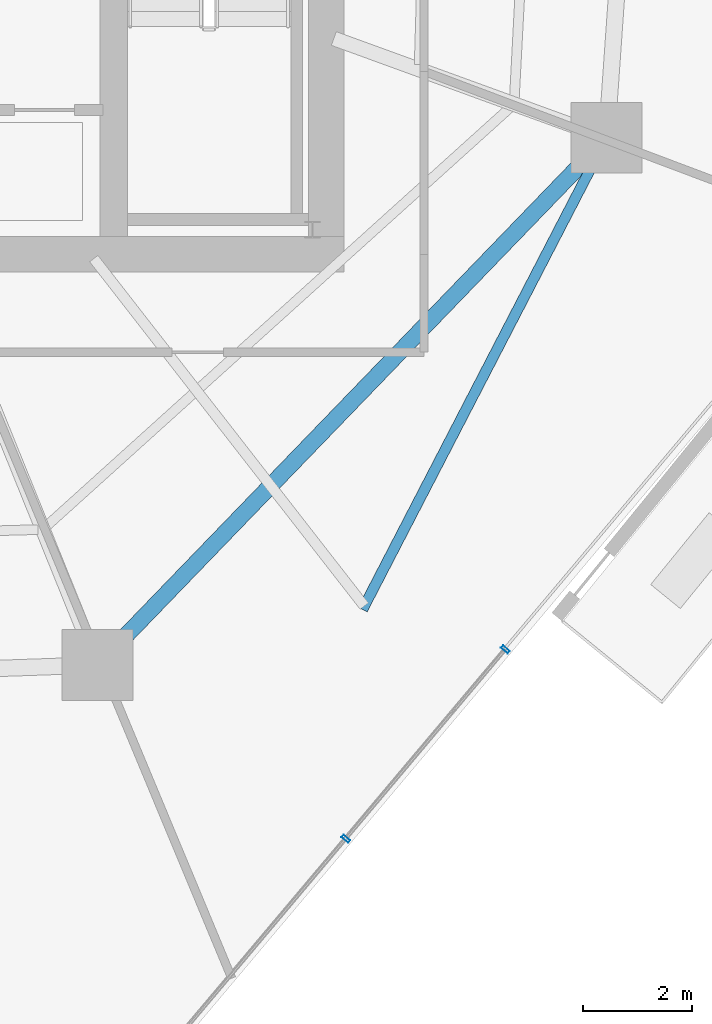
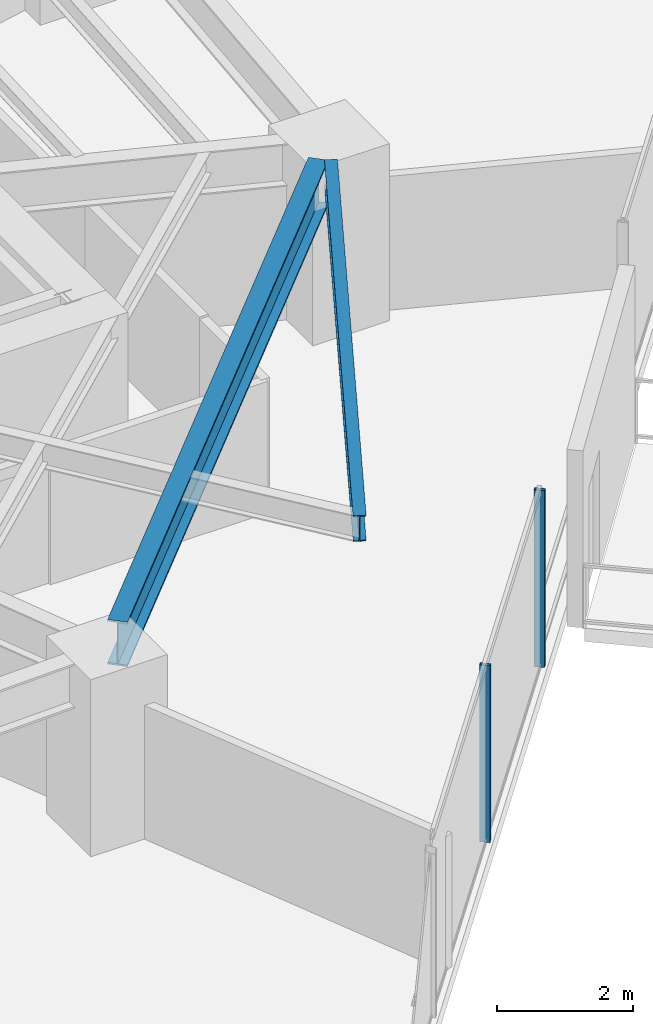
# One storey, part 9 of 31: 2 beams, 2 members, 1 element without a shape of its own.
"""IFC4 building model written with IfcOpenShell, lengths in metres."""

import ifcopenshell
import ifcopenshell.guid

model = None  # the IFC model being written
_history = None  # IfcOwnerHistory: only IFC2X3 demands one
_inside = {}  # id of a spatial element -> (the spatial element, [elements in it])
_under = {}  # id of a project, library or spatial element -> (it, [spatial elements below it])
_declared = {}  # id of a project -> (the project, [libraries it declares])
_typed = {}  # id of a type object -> (the type object, [elements of that type])
_made_of = {}  # id of a material, layer set ... -> (it, [elements and type objects made of it])


def new_model(schema):
    """Start an empty IFC model of exactly this schema.

    Asked for "IFC4X3", IfcOpenShell would pick the latest addendum, in which some entities
    have other attributes; the version numbers below select the first issue.
    IFC2X3 requires an IfcOwnerHistory on every rooted entity: one is made here for all.
    """
    global model, _history
    if schema == "IFC4X3":
        model = ifcopenshell.file(schema_version=(4, 3, 0, 0))
    else:
        model = ifcopenshell.file(schema=schema)
    _inside.clear()
    _under.clear()
    _declared.clear()
    _typed.clear()
    _made_of.clear()
    _history = None
    if model.schema == "IFC2X3":
        org = make("IfcOrganization", Name="unknown")
        user = make(
            "IfcPersonAndOrganization",
            ThePerson=make("IfcPerson", FamilyName="unknown"),
            TheOrganization=org,
        )
        app = make(
            "IfcApplication",
            ApplicationDeveloper=org,
            Version="unknown",
            ApplicationFullName="unknown",
            ApplicationIdentifier="unknown",
        )
        _history = make(
            "IfcOwnerHistory",
            OwningUser=user,
            OwningApplication=app,
            ChangeAction="ADDED",
            CreationDate=0,
        )
    return model


def make(cls, **values):
    """One entity of the class cls with the attributes given. An attribute that is None is left unset."""
    return model.create_entity(
        cls, **{name: value for name, value in values.items() if value is not None}
    )


def rooted(cls, **values):
    """An entity with a GlobalId (a new one), such as an element, a storey or a relation."""
    return make(cls, GlobalId=ifcopenshell.guid.new(), OwnerHistory=_history, **values)


def si_unit(unit_type, name, prefix=None):
    """IfcSIUnit, for example si_unit("LENGTHUNIT", "METRE", prefix="MILLI")."""
    return make("IfcSIUnit", UnitType=unit_type, Prefix=prefix, Name=name)


def assignment(units):
    """IfcUnitAssignment: the units of a project."""
    return None if units is None else make("IfcUnitAssignment", Units=units)


def point(xyz):
    """IfcCartesianPoint."""
    return None if xyz is None else make("IfcCartesianPoint", Coordinates=xyz)


def direction(xyz):
    """IfcDirection."""
    return None if xyz is None else make("IfcDirection", DirectionRatios=xyz)


def frame(location, z_axis=None, x_axis=None):
    """IfcAxis2Placement3D, a coordinate frame: its origin and axes. An axis left out is left unset."""
    return make(
        "IfcAxis2Placement3D",
        Location=point(location),
        Axis=direction(z_axis),
        RefDirection=direction(x_axis),
    )


def frame_2d(location, x_axis=None):
    """IfcAxis2Placement2D, a coordinate frame in the plane: its origin and x axis."""
    return make(
        "IfcAxis2Placement2D", Location=point(location), RefDirection=direction(x_axis)
    )


def origin():
    """The frame at (0, 0, 0) with its axes left unset."""
    return frame((0.0, 0.0, 0.0))


def origin_2d():
    """The frame at (0, 0) in the plane with its x axis left unset."""
    return frame_2d((0.0, 0.0))


def place(relative_to, where):
    """IfcLocalPlacement: puts the frame where relative to a parent placement (None: the world)."""
    return make(
        "IfcLocalPlacement", PlacementRelTo=relative_to, RelativePlacement=where
    )


def context(
    kind, dimensions, precision=None, world=None, true_north=None, identifier=None
):
    """IfcGeometricRepresentationContext, for example the 3D "Model" context."""
    return make(
        "IfcGeometricRepresentationContext",
        ContextIdentifier=identifier,
        ContextType=kind,
        CoordinateSpaceDimension=dimensions,
        Precision=precision,
        WorldCoordinateSystem=world,
        TrueNorth=true_north,
    )


def subcontext(parent, identifier, kind, view, scale=None):
    """IfcGeometricRepresentationSubContext, for example "Body" below "Model"."""
    return make(
        "IfcGeometricRepresentationSubContext",
        ContextIdentifier=identifier,
        ContextType=kind,
        ParentContext=parent,
        TargetScale=scale,
        TargetView=view,
    )


def project(units=None, contexts=None):
    """IfcProject with its units and contexts."""
    return rooted(
        "IfcProject",
        Name="project",
        RepresentationContexts=contexts,
        UnitsInContext=assignment(units),
    )


def spatial(cls, under=None, at=None, **own):
    """A site, building, storey or space (cls), placed at a placement, below another one or the project."""
    s = rooted(cls, ObjectPlacement=at, **own)
    if under is not None:
        _under.setdefault(under.id(), (under, []))[1].append(s)
    return s


def profile(cls, at=None, kind="AREA", **sizes):
    """A parametric profile (cls). Its sizes go by their IFC names, for example OverallWidth=200.0."""
    return make(cls, ProfileType=kind, Position=at, **sizes)


def hollow_rectangle(**sizes):
    """IfcRectangleHollowProfileDef."""
    return profile("IfcRectangleHollowProfileDef", **sizes)


def i_section(**sizes):
    """IfcIShapeProfileDef."""
    return profile("IfcIShapeProfileDef", **sizes)


def extrude(swept, where, along, depth):
    """IfcExtrudedAreaSolid: the profile swept, set in the frame where, extruded along a direction by depth."""
    return make(
        "IfcExtrudedAreaSolid",
        SweptArea=swept,
        Position=where,
        ExtrudedDirection=direction(along),
        Depth=depth,
    )


def shape(context_of_items, identifier, shape_type, items):
    """IfcShapeRepresentation: the items that make up one representation, for example the "Body"."""
    return make(
        "IfcShapeRepresentation",
        ContextOfItems=context_of_items,
        RepresentationIdentifier=identifier,
        RepresentationType=shape_type,
        Items=items,
    )


def material(Name=None, Category=None):
    """IfcMaterial."""
    return make("IfcMaterial", Name=Name, Category=Category)


def layer(
    of_material, thickness, ventilated=None, Name=None, Category=None, Priority=None
):
    """IfcMaterialLayer: one layer of a wall or slab, of a material (None: an air gap)."""
    return make(
        "IfcMaterialLayer",
        Material=of_material,
        LayerThickness=thickness,
        IsVentilated=ventilated,
        Name=Name,
        Category=Category,
        Priority=Priority,
    )


def layer_set(layers, Name=None):
    """IfcMaterialLayerSet."""
    return make("IfcMaterialLayerSet", MaterialLayers=layers, LayerSetName=Name)


def material_profile(
    of_material, cross_section, Name=None, Category=None, Priority=None
):
    """IfcMaterialProfile: a cross section and its material."""
    return make(
        "IfcMaterialProfile",
        Name=Name,
        Material=of_material,
        Profile=cross_section,
        Priority=Priority,
        Category=Category,
    )


def profile_set(profiles, Name=None, composite=None):
    """IfcMaterialProfileSet."""
    return make(
        "IfcMaterialProfileSet",
        Name=Name,
        MaterialProfiles=profiles,
        CompositeProfile=composite,
    )


def made_of(thing, what):
    """Note that an element or type object is made of a material, layer set ...; save() writes the relation."""
    if what is not None:
        _made_of.setdefault(what.id(), (what, []))[1].append(thing)
    return thing


def type_object(cls, material=None, **own):
    """A type object (cls), such as IfcWallType, which elements share."""
    return made_of(rooted(cls, **own), material)


def element(
    cls,
    number,
    at=None,
    inside=None,
    cuts=None,
    type_object=None,
    material=None,
    context=None,
    identifier="Body",
    shape_type=None,
    held_by="IfcProductDefinitionShape",
    body=None,
    shapes=None,
    **own,
):
    """One element of the class cls, such as IfcWall. Its Tag is "e" and its number.

    at: its placement. inside: the storey or other place that contains it. cuts: it is an
    opening in that element (IfcRelVoidsElement). A single representation is given by context,
    identifier, shape_type and body (its items); several are given by shapes. held_by: the class
    of the entity that holds the representations. save() writes the other relations.
    """
    e = rooted(cls, Tag="e%d" % number, ObjectPlacement=at, **own)
    if body is not None:
        shapes = [shape(context, identifier, shape_type, body)]
    if shapes is not None:
        e.Representation = make(held_by, Representations=shapes)
    if inside is not None:
        _inside.setdefault(inside.id(), (inside, []))[1].append(e)
    if cuts is not None:
        rooted(
            "IfcRelVoidsElement", RelatingBuildingElement=cuts, RelatedOpeningElement=e
        )
    if type_object is not None:
        _typed.setdefault(type_object.id(), (type_object, []))[1].append(e)
    return made_of(e, material)


def aggregate(whole, parts):
    """IfcRelAggregates: a whole, such as a stair, and the parts it consists of."""
    return rooted("IfcRelAggregates", RelatingObject=whole, RelatedObjects=parts)


def save(model, path):
    """Write the relations noted so far, then the file.

    IfcRelAggregates (storeys below a building ...), IfcRelContainedInSpatialStructure (elements
    in a storey), IfcRelDefinesByType, IfcRelAssociatesMaterial and IfcRelDeclares: one each for
    every whole, place, type object, material and project.
    """
    for whole, parts in _under.values():
        aggregate(whole, parts)
    for where, things in _inside.values():
        rooted(
            "IfcRelContainedInSpatialStructure",
            RelatedElements=things,
            RelatingStructure=where,
        )
    for kind, things in _typed.values():
        rooted("IfcRelDefinesByType", RelatedObjects=things, RelatingType=kind)
    for what, things in _made_of.values():
        rooted("IfcRelAssociatesMaterial", RelatedObjects=things, RelatingMaterial=what)
    for by, libraries in _declared.values():
        rooted("IfcRelDeclares", RelatingContext=by, RelatedDefinitions=libraries)
    model.write(path)


model = new_model("IFC4")

# Units and contexts
model_context = context("Model", 3, precision=1e-05, world=origin(), true_north=direction((0.0, 1.0)))
body_context = subcontext(model_context, "Body", "Model", "MODEL_VIEW")
ifc_project = project(units=[si_unit("LENGTHUNIT", "METRE"), si_unit("AREAUNIT", "SQUARE_METRE"), si_unit("VOLUMEUNIT", "CUBIC_METRE"), si_unit("PLANEANGLEUNIT", "RADIAN"), si_unit("MASSUNIT", "GRAM", prefix="KILO")], contexts=[model_context])

# Site, building, storey
site_placement = place(None, origin())
site = spatial("IfcSite", under=ifc_project, at=site_placement, CompositionType="ELEMENT")
building_placement = place(site_placement, origin())
building = spatial("IfcBuilding", under=site, at=building_placement, Name="Qarnah Convention Tower", CompositionType="ELEMENT")
storey_placement = place(building_placement, frame((0.0, 0.0, 33.89990234375)))
storey = spatial("IfcBuildingStorey", under=building, at=storey_placement, Name="L07", CompositionType="ELEMENT", Elevation=33.89990234375)

# Beams
ifc_material_1 = material(Name="Structural steel S355JR", Category="steel")
ifc_material_profile_1 = material_profile(ifc_material_1, i_section(OverallWidth=0.19189453125, OverallDepth=0.464111328125, WebThickness=0.010986328125, FlangeThickness=0.01806640625, at=origin_2d()), Name="W460X89")
ifc_profile_set_1 = profile_set([ifc_material_profile_1], Name="Structural steel S355JR")
beam_type_1 = type_object("IfcBeamType", Name="BM-CANT-W460A", PredefinedType="BEAM", material=ifc_profile_set_1)
beam_1_placement = place(storey_placement, frame((48.26904296875, 12.074951171875, 2.93798828125), z_axis=(0.459489942742, 0.888182972432, 0.0), x_axis=(-0.888182972432, 0.459489942742, 0.0)))
element("IfcBeam", 1, at=beam_1_placement, inside=storey, type_object=beam_type_1, Name="L07 spandrel BM-L07-CTIE-03", PredefinedType="SPANDREL", context=body_context, shape_type="SweptSolid", body=[
    extrude(i_section(OverallWidth=0.19189453125, OverallDepth=0.464111328125, WebThickness=0.010986328125, FlangeThickness=0.01806640625, at=origin_2d()), origin(), (0.0, 0.0, 1.0), 9.116455078125),
])
ifc_material_profile_2 = material_profile(ifc_material_1, i_section(OverallWidth=0.300048828125, OverallDepth=0.800048828125, WebThickness=0.01806640625, FlangeThickness=0.032958984375, at=origin_2d()), Name="HEB800")
ifc_profile_set_2 = profile_set([ifc_material_profile_2], Name="Structural steel S355JR")
beam_type_2 = type_object("IfcBeamType", Name="BM-RING-HEB800", PredefinedType="BEAM", material=ifc_profile_set_2)
beam_2_placement = place(storey_placement, frame((43.844970703125, 11.514892578125, 2.77001953125), z_axis=(0.694553028655, 0.719441512832, 0.0), x_axis=(-0.719441512832, 0.694553028655, 0.0)))
element("IfcBeam", 2, at=beam_2_placement, inside=storey, type_object=beam_type_2, Name="L07 beam BM-L07-SPN-08", PredefinedType="BEAM", context=body_context, shape_type="SweptSolid", body=[
    extrude(i_section(OverallWidth=0.300048828125, OverallDepth=0.800048828125, WebThickness=0.01806640625, FlangeThickness=0.032958984375, at=origin_2d()), origin(), (0.0, 0.0, 1.0), 12.183349609375),
])

# Curtain wall, members
ifc_material_2 = material(Name="Tempered Low-E dark glass", Category="glass")
ifc_layer = layer(ifc_material_2, 0.16796875)
ifc_layer_set = layer_set([ifc_layer], Name="Tempered Low-E dark glass")
curtain_wall_type = type_object("IfcCurtainWallType", Name="CWS-01", PredefinedType="NOTDEFINED", material=ifc_layer_set)
curtain_wall_placement = place(storey_placement, origin())
curtain_wall = element("IfcCurtainWall", 3, at=curtain_wall_placement, inside=storey, type_object=curtain_wall_type, Name="L07 unitised curtain wall CW-L07-F4", PredefinedType="NOTDEFINED")
ifc_material_3 = material(Name="Black anodised aluminium", Category="aluminium")
ifc_material_profile_3 = material_profile(ifc_material_3, hollow_rectangle(XDim=0.06005859375, YDim=0.159912109375, WallThickness=0.00390625, at=origin_2d()), Name="MUL-60X160")
ifc_profile_set_3 = profile_set([ifc_material_profile_3], Name="Black anodised aluminium")
member_type = type_object("IfcMemberType", Name="MUL-T1", PredefinedType="MULLION", material=ifc_profile_set_3)
member_1_placement = place(storey_placement, frame((50.89208984375, 11.339111328125, 0.0), z_axis=(0.0, 0.0, 1.0), x_axis=(-0.644442674892, -0.764652626215, 0.0)))
member_1 = element("IfcMember", 4, at=member_1_placement, type_object=member_type, Name="CW-L07-F4 mullion 1", PredefinedType="MULLION", context=body_context, shape_type="SweptSolid", body=[
    extrude(hollow_rectangle(XDim=0.06005859375, YDim=0.159912109375, WallThickness=0.00390625, at=origin_2d()), origin(), (0.0, 0.0, 1.0), 3.170166015625),
])
member_2_placement = place(storey_placement, frame((47.96142578125, 7.861572265625, 0.0), z_axis=(0.0, 0.0, 1.0), x_axis=(-0.644442674892, -0.764652626215, 0.0)))
member_2 = element("IfcMember", 5, at=member_2_placement, type_object=member_type, Name="CW-L07-F4 mullion 2", PredefinedType="MULLION", context=body_context, shape_type="SweptSolid", body=[
    extrude(hollow_rectangle(XDim=0.06005859375, YDim=0.159912109375, WallThickness=0.00390625, at=origin_2d()), origin(), (0.0, 0.0, 1.0), 3.170166015625),
])
aggregate(curtain_wall, [member_1, member_2])

save(model, "model.ifc")
